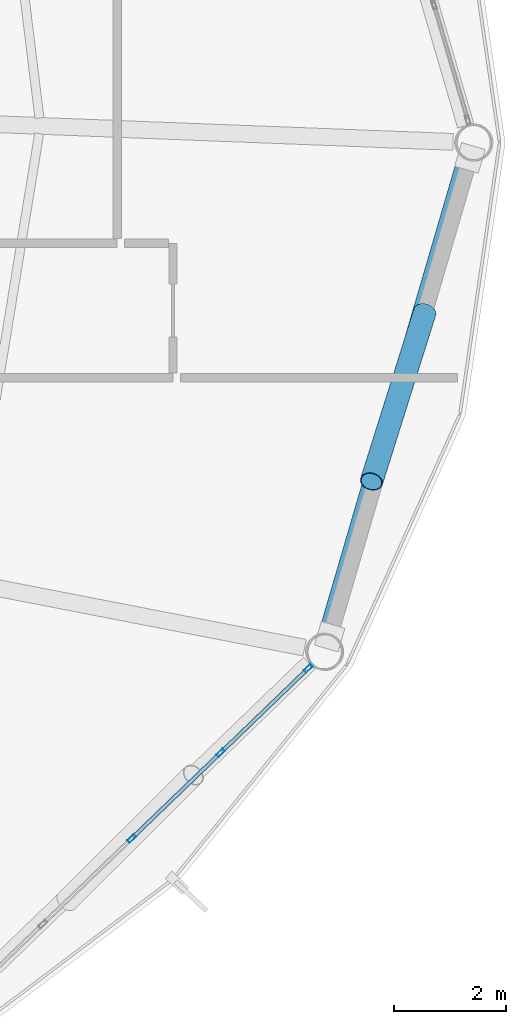
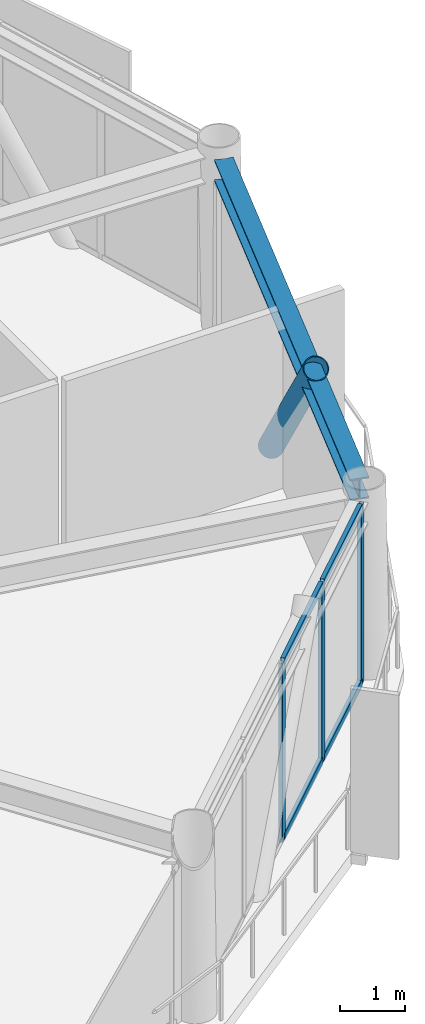
# One storey, part 14 of 26: 8 members, 1 beam, 1 element without a shape of its own.
"""IFC4 building model written with IfcOpenShell, lengths in metres."""

import ifcopenshell
import ifcopenshell.guid

model = None  # the IFC model being written
_history = None  # IfcOwnerHistory: only IFC2X3 demands one
_inside = {}  # id of a spatial element -> (the spatial element, [elements in it])
_under = {}  # id of a project, library or spatial element -> (it, [spatial elements below it])
_declared = {}  # id of a project -> (the project, [libraries it declares])
_typed = {}  # id of a type object -> (the type object, [elements of that type])
_made_of = {}  # id of a material, layer set ... -> (it, [elements and type objects made of it])


def new_model(schema):
    """Start an empty IFC model of exactly this schema.

    Asked for "IFC4X3", IfcOpenShell would pick the latest addendum, in which some entities
    have other attributes; the version numbers below select the first issue.
    IFC2X3 requires an IfcOwnerHistory on every rooted entity: one is made here for all.
    """
    global model, _history
    if schema == "IFC4X3":
        model = ifcopenshell.file(schema_version=(4, 3, 0, 0))
    else:
        model = ifcopenshell.file(schema=schema)
    _inside.clear()
    _under.clear()
    _declared.clear()
    _typed.clear()
    _made_of.clear()
    _history = None
    if model.schema == "IFC2X3":
        org = make("IfcOrganization", Name="unknown")
        user = make(
            "IfcPersonAndOrganization",
            ThePerson=make("IfcPerson", FamilyName="unknown"),
            TheOrganization=org,
        )
        app = make(
            "IfcApplication",
            ApplicationDeveloper=org,
            Version="unknown",
            ApplicationFullName="unknown",
            ApplicationIdentifier="unknown",
        )
        _history = make(
            "IfcOwnerHistory",
            OwningUser=user,
            OwningApplication=app,
            ChangeAction="ADDED",
            CreationDate=0,
        )
    return model


def make(cls, **values):
    """One entity of the class cls with the attributes given. An attribute that is None is left unset."""
    return model.create_entity(
        cls, **{name: value for name, value in values.items() if value is not None}
    )


def rooted(cls, **values):
    """An entity with a GlobalId (a new one), such as an element, a storey or a relation."""
    return make(cls, GlobalId=ifcopenshell.guid.new(), OwnerHistory=_history, **values)


def si_unit(unit_type, name, prefix=None):
    """IfcSIUnit, for example si_unit("LENGTHUNIT", "METRE", prefix="MILLI")."""
    return make("IfcSIUnit", UnitType=unit_type, Prefix=prefix, Name=name)


def assignment(units):
    """IfcUnitAssignment: the units of a project."""
    return None if units is None else make("IfcUnitAssignment", Units=units)


def point(xyz):
    """IfcCartesianPoint."""
    return None if xyz is None else make("IfcCartesianPoint", Coordinates=xyz)


def direction(xyz):
    """IfcDirection."""
    return None if xyz is None else make("IfcDirection", DirectionRatios=xyz)


def frame(location, z_axis=None, x_axis=None):
    """IfcAxis2Placement3D, a coordinate frame: its origin and axes. An axis left out is left unset."""
    return make(
        "IfcAxis2Placement3D",
        Location=point(location),
        Axis=direction(z_axis),
        RefDirection=direction(x_axis),
    )


def frame_2d(location, x_axis=None):
    """IfcAxis2Placement2D, a coordinate frame in the plane: its origin and x axis."""
    return make(
        "IfcAxis2Placement2D", Location=point(location), RefDirection=direction(x_axis)
    )


def origin():
    """The frame at (0, 0, 0) with its axes left unset."""
    return frame((0.0, 0.0, 0.0))


def origin_2d():
    """The frame at (0, 0) in the plane with its x axis left unset."""
    return frame_2d((0.0, 0.0))


def place(relative_to, where):
    """IfcLocalPlacement: puts the frame where relative to a parent placement (None: the world)."""
    return make(
        "IfcLocalPlacement", PlacementRelTo=relative_to, RelativePlacement=where
    )


def context(
    kind, dimensions, precision=None, world=None, true_north=None, identifier=None
):
    """IfcGeometricRepresentationContext, for example the 3D "Model" context."""
    return make(
        "IfcGeometricRepresentationContext",
        ContextIdentifier=identifier,
        ContextType=kind,
        CoordinateSpaceDimension=dimensions,
        Precision=precision,
        WorldCoordinateSystem=world,
        TrueNorth=true_north,
    )


def subcontext(parent, identifier, kind, view, scale=None):
    """IfcGeometricRepresentationSubContext, for example "Body" below "Model"."""
    return make(
        "IfcGeometricRepresentationSubContext",
        ContextIdentifier=identifier,
        ContextType=kind,
        ParentContext=parent,
        TargetScale=scale,
        TargetView=view,
    )


def project(units=None, contexts=None):
    """IfcProject with its units and contexts."""
    return rooted(
        "IfcProject",
        Name="project",
        RepresentationContexts=contexts,
        UnitsInContext=assignment(units),
    )


def spatial(cls, under=None, at=None, **own):
    """A site, building, storey or space (cls), placed at a placement, below another one or the project."""
    s = rooted(cls, ObjectPlacement=at, **own)
    if under is not None:
        _under.setdefault(under.id(), (under, []))[1].append(s)
    return s


def profile(cls, at=None, kind="AREA", **sizes):
    """A parametric profile (cls). Its sizes go by their IFC names, for example OverallWidth=200.0."""
    return make(cls, ProfileType=kind, Position=at, **sizes)


def hollow_rectangle(**sizes):
    """IfcRectangleHollowProfileDef."""
    return profile("IfcRectangleHollowProfileDef", **sizes)


def hollow_circle(**sizes):
    """IfcCircleHollowProfileDef."""
    return profile("IfcCircleHollowProfileDef", **sizes)


def i_section(**sizes):
    """IfcIShapeProfileDef."""
    return profile("IfcIShapeProfileDef", **sizes)


def extrude(swept, where, along, depth):
    """IfcExtrudedAreaSolid: the profile swept, set in the frame where, extruded along a direction by depth."""
    return make(
        "IfcExtrudedAreaSolid",
        SweptArea=swept,
        Position=where,
        ExtrudedDirection=direction(along),
        Depth=depth,
    )


def shape(context_of_items, identifier, shape_type, items):
    """IfcShapeRepresentation: the items that make up one representation, for example the "Body"."""
    return make(
        "IfcShapeRepresentation",
        ContextOfItems=context_of_items,
        RepresentationIdentifier=identifier,
        RepresentationType=shape_type,
        Items=items,
    )


def material(Name=None, Category=None):
    """IfcMaterial."""
    return make("IfcMaterial", Name=Name, Category=Category)


def layer(
    of_material, thickness, ventilated=None, Name=None, Category=None, Priority=None
):
    """IfcMaterialLayer: one layer of a wall or slab, of a material (None: an air gap)."""
    return make(
        "IfcMaterialLayer",
        Material=of_material,
        LayerThickness=thickness,
        IsVentilated=ventilated,
        Name=Name,
        Category=Category,
        Priority=Priority,
    )


def layer_set(layers, Name=None):
    """IfcMaterialLayerSet."""
    return make("IfcMaterialLayerSet", MaterialLayers=layers, LayerSetName=Name)


def material_profile(
    of_material, cross_section, Name=None, Category=None, Priority=None
):
    """IfcMaterialProfile: a cross section and its material."""
    return make(
        "IfcMaterialProfile",
        Name=Name,
        Material=of_material,
        Profile=cross_section,
        Priority=Priority,
        Category=Category,
    )


def profile_set(profiles, Name=None, composite=None):
    """IfcMaterialProfileSet."""
    return make(
        "IfcMaterialProfileSet",
        Name=Name,
        MaterialProfiles=profiles,
        CompositeProfile=composite,
    )


def made_of(thing, what):
    """Note that an element or type object is made of a material, layer set ...; save() writes the relation."""
    if what is not None:
        _made_of.setdefault(what.id(), (what, []))[1].append(thing)
    return thing


def type_object(cls, material=None, **own):
    """A type object (cls), such as IfcWallType, which elements share."""
    return made_of(rooted(cls, **own), material)


def element(
    cls,
    number,
    at=None,
    inside=None,
    cuts=None,
    type_object=None,
    material=None,
    context=None,
    identifier="Body",
    shape_type=None,
    held_by="IfcProductDefinitionShape",
    body=None,
    shapes=None,
    **own,
):
    """One element of the class cls, such as IfcWall. Its Tag is "e" and its number.

    at: its placement. inside: the storey or other place that contains it. cuts: it is an
    opening in that element (IfcRelVoidsElement). A single representation is given by context,
    identifier, shape_type and body (its items); several are given by shapes. held_by: the class
    of the entity that holds the representations. save() writes the other relations.
    """
    e = rooted(cls, Tag="e%d" % number, ObjectPlacement=at, **own)
    if body is not None:
        shapes = [shape(context, identifier, shape_type, body)]
    if shapes is not None:
        e.Representation = make(held_by, Representations=shapes)
    if inside is not None:
        _inside.setdefault(inside.id(), (inside, []))[1].append(e)
    if cuts is not None:
        rooted(
            "IfcRelVoidsElement", RelatingBuildingElement=cuts, RelatedOpeningElement=e
        )
    if type_object is not None:
        _typed.setdefault(type_object.id(), (type_object, []))[1].append(e)
    return made_of(e, material)


def aggregate(whole, parts):
    """IfcRelAggregates: a whole, such as a stair, and the parts it consists of."""
    return rooted("IfcRelAggregates", RelatingObject=whole, RelatedObjects=parts)


def save(model, path):
    """Write the relations noted so far, then the file.

    IfcRelAggregates (storeys below a building ...), IfcRelContainedInSpatialStructure (elements
    in a storey), IfcRelDefinesByType, IfcRelAssociatesMaterial and IfcRelDeclares: one each for
    every whole, place, type object, material and project.
    """
    for whole, parts in _under.values():
        aggregate(whole, parts)
    for where, things in _inside.values():
        rooted(
            "IfcRelContainedInSpatialStructure",
            RelatedElements=things,
            RelatingStructure=where,
        )
    for kind, things in _typed.values():
        rooted("IfcRelDefinesByType", RelatedObjects=things, RelatingType=kind)
    for what, things in _made_of.values():
        rooted("IfcRelAssociatesMaterial", RelatedObjects=things, RelatingMaterial=what)
    for by, libraries in _declared.values():
        rooted("IfcRelDeclares", RelatingContext=by, RelatedDefinitions=libraries)
    model.write(path)


model = new_model("IFC4")

# Units and contexts
model_context = context("Model", 3, precision=1e-05, world=origin(), true_north=direction((0.0, 1.0)))
body_context = subcontext(model_context, "Body", "Model", "MODEL_VIEW")
ifc_project = project(units=[si_unit("LENGTHUNIT", "METRE"), si_unit("AREAUNIT", "SQUARE_METRE"), si_unit("VOLUMEUNIT", "CUBIC_METRE"), si_unit("PLANEANGLEUNIT", "RADIAN"), si_unit("MASSUNIT", "GRAM", prefix="KILO")], contexts=[model_context])

# Site, building, storey
site_placement = place(None, origin())
site = spatial("IfcSite", under=ifc_project, at=site_placement, CompositionType="ELEMENT")
building_placement = place(site_placement, origin())
building = spatial("IfcBuilding", under=site, at=building_placement, Name="Varnakorn Sky Granary", CompositionType="ELEMENT")
storey_placement = place(building_placement, frame((0.0, 0.0, 218.39990234375)))
storey = spatial("IfcBuildingStorey", under=building, at=storey_placement, Name="L55", CompositionType="ELEMENT", Elevation=218.39990234375)

# Beam
ifc_material_1 = material(Name="Steel S355JR", Category="steel")
ifc_material_profile_1 = material_profile(ifc_material_1, i_section(OverallWidth=0.300048828125, OverallDepth=0.39990234375, WebThickness=0.013427734375, FlangeThickness=0.02392578125, at=origin_2d()), Name="HE 400 B")
ifc_profile_set_1 = profile_set([ifc_material_profile_1], Name="Steel S355JR")
beam_type = type_object("IfcBeamType", Name="BM-SPD-Z4", PredefinedType="SPANDREL", material=ifc_profile_set_1)
beam_placement = place(storey_placement, frame((21.2490234375, -8.78515625, 3.16015625), z_axis=(0.280782706449, 0.959771364315, 0.0), x_axis=(-0.959771364315, 0.280782706449, 0.0)))
element("IfcBeam", 1, at=beam_placement, inside=storey, type_object=beam_type, Name="Perimeter Spandrel Ring Beam RB12 L55", PredefinedType="SPANDREL", context=body_context, shape_type="SweptSolid", body=[
    extrude(i_section(OverallWidth=0.300048828125, OverallDepth=0.39990234375, WebThickness=0.013427734375, FlangeThickness=0.02392578125, at=origin_2d()), origin(), (0.0, 0.0, 1.0), 8.83837890625),
])

# Curtain wall, members
ifc_material_2 = material(Name="Anodised Bronze Aluminium Alloy 6063-T6", Category="aluminium")
ifc_layer = layer(ifc_material_2, 0.169921875, Name="Anodised Bronze Aluminium Alloy 6063-T6")
ifc_layer_set = layer_set([ifc_layer], Name="Anodised Bronze Aluminium Alloy 6063-T6")
curtain_wall_type = type_object("IfcCurtainWallType", Name="CW-LAB-1", PredefinedType="USERDEFINED", material=ifc_layer_set)
curtain_wall_placement = place(storey_placement, origin())
curtain_wall = element("IfcCurtainWall", 2, at=curtain_wall_placement, inside=storey, type_object=curtain_wall_type, Name="Unitised Curtain Wall CW5 CW-L55-B11", ObjectType="CURTAIN WALL", PredefinedType="USERDEFINED")
ifc_material_profile_2 = material_profile(ifc_material_2, hollow_rectangle(XDim=0.06494140625, YDim=0.159912109375, WallThickness=0.00341796875, at=origin_2d()), Name="ALU MULL 65x160")
ifc_profile_set_2 = profile_set([ifc_material_profile_2], Name="Anodised Bronze Aluminium Alloy 6063-T6")
member_type_1 = type_object("IfcMemberType", Name="CW-LAB-1-MULL", PredefinedType="MULLION", material=ifc_profile_set_2)
member_1_placement = place(storey_placement, frame((20.915283203125, -9.397705078125, 0.0), z_axis=(0.0, 0.0, 1.0), x_axis=(0.693784930795, -0.72018224763, 0.0)))
member_1 = element("IfcMember", 3, at=member_1_placement, type_object=member_type_1, Name="CW5 mullion 1", PredefinedType="MULLION", context=body_context, shape_type="SweptSolid", body=[
    extrude(hollow_rectangle(XDim=0.06494140625, YDim=0.159912109375, WallThickness=0.00341796875, at=origin_2d()), origin(), (0.0, 0.0, 1.0), 3.360107421875),
])
member_2_placement = place(storey_placement, frame((19.349609375, -10.906005859375, 0.0), z_axis=(0.0, 0.0, 1.0), x_axis=(0.693784930795, -0.72018224763, 0.0)))
member_2 = element("IfcMember", 4, at=member_2_placement, type_object=member_type_1, Name="CW5 mullion 2", PredefinedType="MULLION", context=body_context, shape_type="SweptSolid", body=[
    extrude(hollow_rectangle(XDim=0.06494140625, YDim=0.159912109375, WallThickness=0.00341796875, at=origin_2d()), origin(), (0.0, 0.0, 1.0), 3.360107421875),
])
member_3_placement = place(storey_placement, frame((17.76025390625, -12.43701171875, 0.0), z_axis=(0.0, 0.0, 1.0), x_axis=(0.693784930795, -0.72018224763, 0.0)))
member_3 = element("IfcMember", 5, at=member_3_placement, type_object=member_type_1, Name="CW5 mullion 3", PredefinedType="MULLION", context=body_context, shape_type="SweptSolid", body=[
    extrude(hollow_rectangle(XDim=0.06494140625, YDim=0.159912109375, WallThickness=0.00341796875, at=origin_2d()), origin(), (0.0, 0.0, 1.0), 3.360107421875),
])
ifc_material_profile_3 = material_profile(ifc_material_2, hollow_rectangle(XDim=0.070068359375, YDim=0.139892578125, WallThickness=0.00341796875, at=origin_2d()), Name="ALU TRAN 70x140")
ifc_profile_set_3 = profile_set([ifc_material_profile_3], Name="Anodised Bronze Aluminium Alloy 6063-T6")
member_type_2 = type_object("IfcMemberType", Name="CW-LAB-1-TRAN", PredefinedType="USERDEFINED", material=ifc_profile_set_3)
member_4_placement = place(storey_placement, frame((20.891845703125, -9.420166015625, 0.03515625), z_axis=(-0.72017883047, -0.693788477955, 0.0), x_axis=(0.693788477955, -0.72017883047, 0.0)))
member_4 = element("IfcMember", 6, at=member_4_placement, type_object=member_type_2, Name="CW5 transom 1.1", ObjectType="TRANSOM", PredefinedType="USERDEFINED", context=body_context, shape_type="SweptSolid", body=[
    extrude(hollow_rectangle(XDim=0.070068359375, YDim=0.139892578125, WallThickness=0.00341796875, at=origin_2d()), origin(), (0.0, 0.0, 1.0), 2.109375),
])
member_5_placement = place(storey_placement, frame((20.891845703125, -9.420166015625, 3.3251953125), z_axis=(-0.72017883047, -0.693788477955, 0.0), x_axis=(0.693788477955, -0.72017883047, 0.0)))
member_5 = element("IfcMember", 7, at=member_5_placement, type_object=member_type_2, Name="CW5 transom 1.2", ObjectType="TRANSOM", PredefinedType="USERDEFINED", context=body_context, shape_type="SweptSolid", body=[
    extrude(hollow_rectangle(XDim=0.070068359375, YDim=0.139892578125, WallThickness=0.00341796875, at=origin_2d()), origin(), (0.0, 0.0, 1.0), 2.109375),
])
member_6_placement = place(storey_placement, frame((19.326171875, -10.9287109375, 0.03515625), z_axis=(-0.720206292146, -0.693759970561, 0.0), x_axis=(0.693759970561, -0.720206292146, 0.0)))
member_6 = element("IfcMember", 8, at=member_6_placement, type_object=member_type_2, Name="CW5 transom 2.1", ObjectType="TRANSOM", PredefinedType="USERDEFINED", context=body_context, shape_type="SweptSolid", body=[
    extrude(hollow_rectangle(XDim=0.070068359375, YDim=0.139892578125, WallThickness=0.00341796875, at=origin_2d()), origin(), (0.0, 0.0, 1.0), 2.1416015625),
])
member_7_placement = place(storey_placement, frame((19.326171875, -10.9287109375, 3.3251953125), z_axis=(-0.720206292146, -0.693759970561, 0.0), x_axis=(0.693759970561, -0.720206292146, 0.0)))
member_7 = element("IfcMember", 9, at=member_7_placement, type_object=member_type_2, Name="CW5 transom 2.2", ObjectType="TRANSOM", PredefinedType="USERDEFINED", context=body_context, shape_type="SweptSolid", body=[
    extrude(hollow_rectangle(XDim=0.070068359375, YDim=0.139892578125, WallThickness=0.00341796875, at=origin_2d()), origin(), (0.0, 0.0, 1.0), 2.1416015625),
])
aggregate(curtain_wall, [member_1, member_2, member_3, member_4, member_5, member_6, member_7])

# Member
ifc_material_3 = material(Name="Steel S460M", Category="steel")
ifc_material_profile_4 = material_profile(ifc_material_3, hollow_circle(Radius=0.203125, WallThickness=0.01611328125, at=origin_2d()), Name="CHS 406.4x16")
ifc_profile_set_4 = profile_set([ifc_material_profile_4], Name="Steel S460M")
member_type_3 = type_object("IfcMemberType", Name="MB-DIAG-T4", PredefinedType="BRACE", material=ifc_profile_set_4)
member_8_placement = place(storey_placement, frame((22.997802734375, -3.034912109375, -0.1298828125), z_axis=(-0.197643328295, -0.628399224032, 0.752363961137), x_axis=(0.953930114852, -0.300028891905, 0.0)))
element("IfcMember", 10, at=member_8_placement, inside=storey, type_object=member_type_3, Name="Perimeter CHS Diagrid Brace DG12 L55", PredefinedType="BRACE", context=body_context, shape_type="SweptSolid", body=[
    extrude(hollow_circle(Radius=0.203125, WallThickness=0.01611328125, at=origin_2d()), origin(), (0.0, 0.0, 1.0), 4.811279296875),
])

save(model, "model.ifc")
